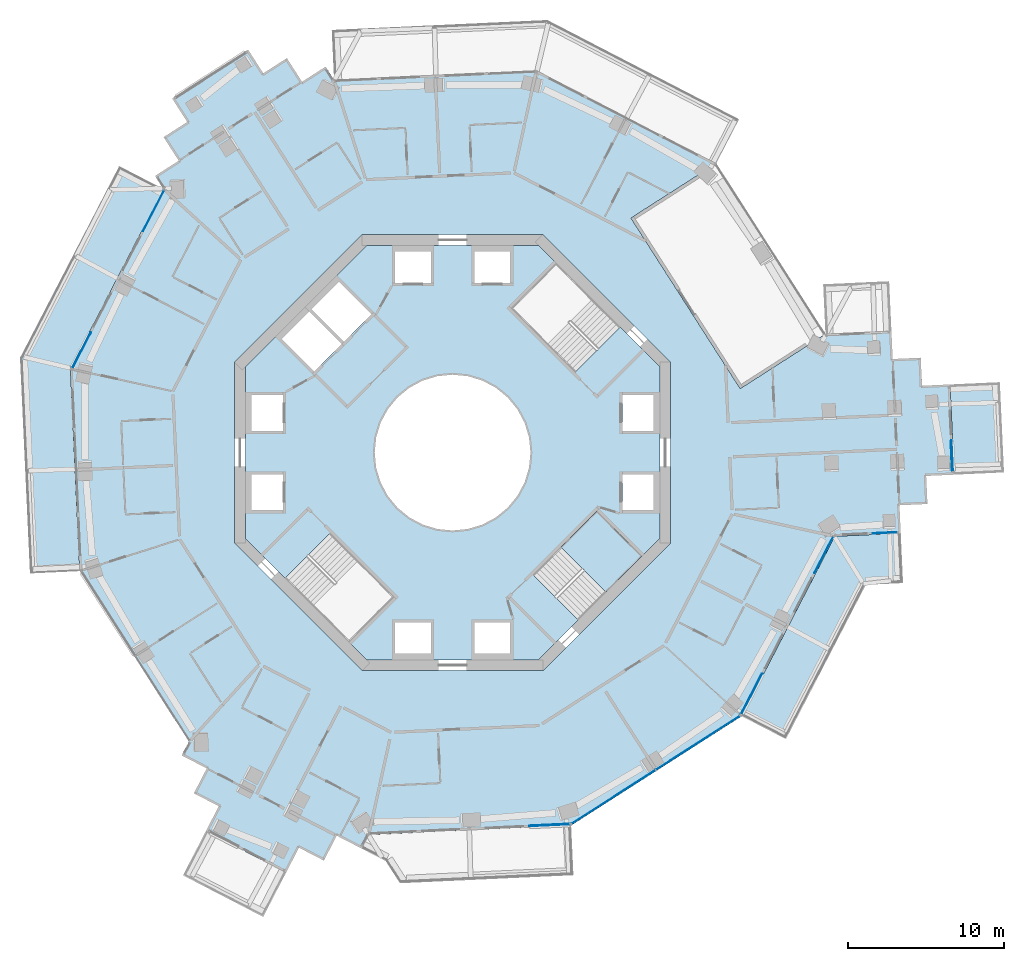
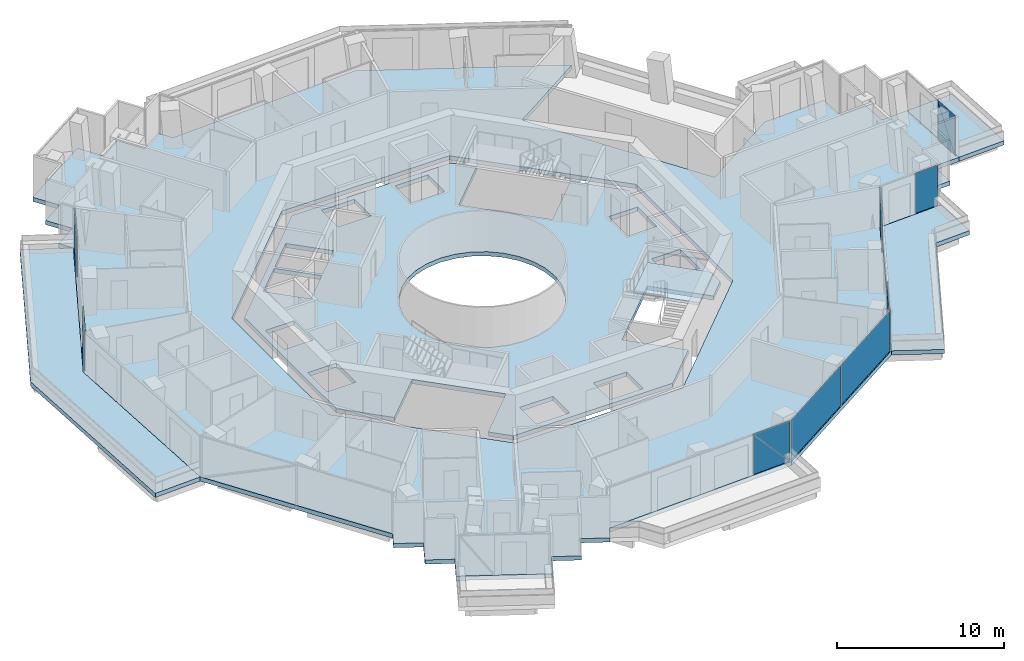
# One storey, part 12 of 22: 13 plates, 6 slabs, 7 elements without a shape of their own.
"""IFC4 building model written with IfcOpenShell, lengths in metres."""

from ifc_helpers import new_model, si_unit, direction, frame, origin, origin_2d, place, context, subcontext, project, spatial, polyline, rectangle, outline, extrude, material, layer, layer_set, type_object, element, aggregate, save


model = new_model("IFC4")

# Units and contexts
model_context = context("Model", 3, precision=1e-05, world=origin(), true_north=direction((0.0, 1.0)))
body_context = subcontext(model_context, "Body", "Model", "MODEL_VIEW")
ifc_project = project(units=[si_unit("LENGTHUNIT", "METRE"), si_unit("AREAUNIT", "SQUARE_METRE"), si_unit("VOLUMEUNIT", "CUBIC_METRE"), si_unit("PLANEANGLEUNIT", "RADIAN"), si_unit("MASSUNIT", "GRAM", prefix="KILO")], contexts=[model_context])

# Site, building, storey
site_placement = place(None, origin())
site = spatial("IfcSite", under=ifc_project, at=site_placement, CompositionType="ELEMENT")
building_placement = place(site_placement, origin())
building = spatial("IfcBuilding", under=site, at=building_placement, Name="Verdalira Terraces Hotel", CompositionType="ELEMENT")
storey_placement = place(building_placement, frame((0.0, 0.0, 165.5)))
storey = spatial("IfcBuildingStorey", under=building, at=storey_placement, Name="L40", CompositionType="ELEMENT", Elevation=165.5)

# Slabs
ifc_material_1 = material(Name="Precast concrete C40/50", Category="concrete")
ifc_layer_1 = layer(ifc_material_1, 0.31005859375)
ifc_layer_set_1 = layer_set([ifc_layer_1], Name="Balcony deck 310")
slab_type_1 = type_object("IfcSlabType", Name="Balcony deck 310", PredefinedType="FLOOR", material=ifc_layer_set_1)
slab_1_placement = place(storey_placement, frame((0.0, 0.0, -0.310059)))
element("IfcSlab", 1, at=slab_1_placement, inside=storey, type_object=slab_type_1, Name="Balcony deck", PredefinedType="FLOOR", context=body_context, shape_type="SweptSolid", body=[
    extrude(outline(polyline([(-27.768066, 6.084961), (-27.129883, -7.757812), (-23.933105, -7.610352), (-24.531982, 5.375732), (-18.557373, 16.921631), (-21.399414, 18.39209), (-27.768066, 6.084961)])), origin(), (0.0, 0.0, 1.0), 0.310059),
])
slab_2_placement = place(storey_placement, frame((0.0, 0.0, -0.310059)))
element("IfcSlab", 2, at=slab_2_placement, inside=storey, type_object=slab_type_1, Name="Balcony deck", PredefinedType="FLOOR", context=body_context, shape_type="SweptSolid", body=[
    extrude(outline(polyline([(28.915283, -8.376953), (28.767822, -5.18042), (24.531982, -5.375732), (18.557373, -16.921631), (21.399414, -18.39209), (26.524902, -8.487305), (28.915283, -8.376953)])), origin(), (0.0, 0.0, 1.0), 0.310059),
])
slab_3_placement = place(storey_placement, frame((0.0, 0.0, -0.310059)))
element("IfcSlab", 3, at=slab_3_placement, inside=storey, type_object=slab_type_1, Name="Balcony deck", PredefinedType="FLOOR", context=body_context, shape_type="SweptSolid", body=[
    extrude(outline(polyline([(35.127686, 4.522705), (31.931152, 4.375488), (32.198242, -1.418457), (35.394775, -1.270996), (35.127686, 4.522705)])), origin(), (0.0, 0.0, 1.0), 0.310059),
])

# Curtain wall, plates
ifc_material_2 = material(Name="Clear glass", Category="glass")
ifc_layer_2 = layer(ifc_material_2, 0.14990234375)
ifc_layer_set_2 = layer_set([ifc_layer_2], Name="CW1 curtain wall")
curtain_wall_type_1 = type_object("IfcCurtainWallType", Name="CW1 curtain wall", PredefinedType="NOTDEFINED", material=ifc_layer_set_2)
curtain_wall_1_placement = place(storey_placement, origin())
curtain_wall_1 = element("IfcCurtainWall", 4, at=curtain_wall_1_placement, inside=storey, type_object=curtain_wall_type_1, Name="CW1 curtain wall L40 edge 11", PredefinedType="NOTDEFINED")
ifc_material_3 = material(Name="Clear glass", Category="glass")
ifc_layer_3 = layer(ifc_material_3, 0.028076171875)
ifc_layer_set_3 = layer_set([ifc_layer_3], Name="CW1 glass unit 28")
plate_type_1 = type_object("IfcPlateType", Name="CW1 glass unit 28", PredefinedType="CURTAIN_PANEL", material=ifc_layer_set_3)
plate_1_placement = place(storey_placement, frame((-19.199707, 15.51709, 0.0), z_axis=(0.0, 0.0, 1.0), x_axis=(-0.459579861, -0.888136449, 0.0)))
plate_1 = element("IfcPlate", 5, at=plate_1_placement, type_object=plate_type_1, Name="CW1 glass unit", PredefinedType="CURTAIN_PANEL", context=body_context, shape_type="SweptSolid", body=[
    extrude(rectangle(XDim=2.965088, YDim=0.028076, at=origin_2d()), origin(), (0.0, 0.0, 1.0), 2.935059),
])
plate_2_placement = place(storey_placement, frame((-23.812744, 6.572266, 1.467529), z_axis=(-0.888136449, 0.459579861, 0.0), x_axis=(-0.459579861, -0.888136449, 0.0)))
plate_2 = element("IfcPlate", 6, at=plate_2_placement, type_object=plate_type_1, Name="CW1 glass unit", PredefinedType="CURTAIN_PANEL", context=body_context, shape_type="SweptSolid", body=[
    extrude(outline(polyline([(-1.292969, -1.467529), (1.292969, -1.467529), (1.292969, 1.467529), (-1.292969, -1.467529)])), origin(), (0.0, 0.0, 1.0), 0.028076),
])
plate_3_placement = place(storey_placement, frame((-23.786865, 6.558838, 1.467529), z_axis=(-0.888136449, 0.459579861, 0.0), x_axis=(-0.459579861, -0.888136449, 0.0)))
plate_3 = element("IfcPlate", 7, at=plate_3_placement, type_object=plate_type_1, Name="CW1 glass unit", PredefinedType="CURTAIN_PANEL", context=body_context, shape_type="SweptSolid", body=[
    extrude(outline(polyline([(-1.292969, -1.467529), (1.292969, 1.467529), (-1.292969, 1.467529), (-1.292969, -1.467529)])), origin(), (0.0, 0.0, 1.0), 0.028076),
])
aggregate(curtain_wall_1, [plate_1, plate_2, plate_3])

curtain_wall_2_placement = place(storey_placement, origin())
curtain_wall_2 = element("IfcCurtainWall", 8, at=curtain_wall_2_placement, inside=storey, type_object=curtain_wall_type_1, Name="CW1 curtain wall L40 edge 25", PredefinedType="NOTDEFINED")
plate_4_placement = place(storey_placement, frame((6.2146, -23.908447, 1.467529), z_axis=(0.04606039, -0.998938657, 0.0), x_axis=(0.998938657, 0.04606039, 0.0)))
plate_4 = element("IfcPlate", 9, at=plate_4_placement, type_object=plate_type_1, Name="CW1 glass unit", PredefinedType="CURTAIN_PANEL", context=body_context, shape_type="SweptSolid", body=[
    extrude(outline(polyline([(-1.292969, -1.467529), (1.292969, -1.467529), (-1.292969, 1.467529), (-1.292969, -1.467529)])), origin(), (0.0, 0.0, 1.0), 0.028076),
])
plate_5_placement = place(storey_placement, frame((6.213379, -23.879395, 1.467529), z_axis=(0.04606039, -0.998938657, 0.0), x_axis=(0.998938657, 0.04606039, 0.0)))
plate_5 = element("IfcPlate", 10, at=plate_5_placement, type_object=plate_type_1, Name="CW1 glass unit", PredefinedType="CURTAIN_PANEL", context=body_context, shape_type="SweptSolid", body=[
    extrude(outline(polyline([(1.292969, -1.467529), (1.292969, 1.467529), (-1.292969, 1.467529), (1.292969, -1.467529)])), origin(), (0.0, 0.0, 1.0), 0.028076),
])
aggregate(curtain_wall_2, [plate_4, plate_5])

curtain_wall_3_placement = place(storey_placement, origin())
curtain_wall_3 = element("IfcCurtainWall", 11, at=curtain_wall_3_placement, inside=storey, type_object=curtain_wall_type_1, Name="CW1 curtain wall L40 edge 26", PredefinedType="NOTDEFINED")
plate_6_placement = place(storey_placement, frame((10.336182, -22.098145, 0.0), z_axis=(0.0, 0.0, 1.0), x_axis=(0.842076059, 0.539358796, 0.0)))
plate_6 = element("IfcPlate", 12, at=plate_6_placement, type_object=plate_type_1, Name="CW1 glass unit", PredefinedType="CURTAIN_PANEL", context=body_context, shape_type="SweptSolid", body=[
    extrude(rectangle(XDim=6.369873, YDim=0.028076, at=origin_2d()), origin(), (0.0, 0.0, 1.0), 2.935059),
])
plate_7_placement = place(storey_placement, frame((15.750732, -18.630127, 0.0), z_axis=(0.0, 0.0, 1.0), x_axis=(0.842076059, 0.539358796, 0.0)))
plate_7 = element("IfcPlate", 13, at=plate_7_placement, type_object=plate_type_1, Name="CW1 glass unit", PredefinedType="CURTAIN_PANEL", context=body_context, shape_type="SweptSolid", body=[
    extrude(rectangle(XDim=6.369873, YDim=0.028076, at=origin_2d()), origin(), (0.0, 0.0, 1.0), 2.935059),
])
aggregate(curtain_wall_3, [plate_6, plate_7])

curtain_wall_4_placement = place(storey_placement, origin())
curtain_wall_4 = element("IfcCurtainWall", 14, at=curtain_wall_4_placement, inside=storey, type_object=curtain_wall_type_1, Name="CW1 curtain wall L40 edge 27", PredefinedType="NOTDEFINED")
plate_8_placement = place(storey_placement, frame((19.196533, -15.49292, 1.467529), z_axis=(0.888136449, -0.459579861, 0.0), x_axis=(0.459579861, 0.888136449, 0.0)))
plate_8 = element("IfcPlate", 15, at=plate_8_placement, type_object=plate_type_1, Name="CW1 glass unit", PredefinedType="CURTAIN_PANEL", context=body_context, shape_type="SweptSolid", body=[
    extrude(outline(polyline([(-1.462402, -1.467529), (1.462402, -1.467529), (-1.462402, 1.467529), (-1.462402, -1.467529)])), origin(), (0.0, 0.0, 1.0), 0.028076),
])
plate_9_placement = place(storey_placement, frame((19.170654, -15.479492, 1.467529), z_axis=(0.888136449, -0.459579861, 0.0), x_axis=(0.459579861, 0.888136449, 0.0)))
plate_9 = element("IfcPlate", 16, at=plate_9_placement, type_object=plate_type_1, Name="CW1 glass unit", PredefinedType="CURTAIN_PANEL", context=body_context, shape_type="SweptSolid", body=[
    extrude(outline(polyline([(1.462402, -1.467529), (1.462402, 1.467529), (-1.462402, 1.467529), (1.462402, -1.467529)])), origin(), (0.0, 0.0, 1.0), 0.028076),
])
plate_10_placement = place(storey_placement, frame((23.834473, -6.560791, 0.0), z_axis=(0.0, 0.0, 1.0), x_axis=(0.459579861, 0.888136449, 0.0)))
plate_10 = element("IfcPlate", 17, at=plate_10_placement, type_object=plate_type_1, Name="CW1 glass unit", PredefinedType="CURTAIN_PANEL", context=body_context, shape_type="SweptSolid", body=[
    extrude(rectangle(XDim=2.625977, YDim=0.028076, at=origin_2d()), origin(), (0.0, 0.0, 1.0), 2.935059),
])
aggregate(curtain_wall_4, [plate_8, plate_9, plate_10])

# Curtain wall, plate
ifc_material_4 = material(Name="Clear glass", Category="glass")
ifc_layer_4 = layer(ifc_material_4, 0.14990234375)
ifc_layer_set_4 = layer_set([ifc_layer_4], Name="CW2 curtain wall")
curtain_wall_type_2 = type_object("IfcCurtainWallType", Name="CW2 curtain wall", PredefinedType="NOTDEFINED", material=ifc_layer_set_4)
curtain_wall_5_placement = place(storey_placement, origin())
curtain_wall_5 = element("IfcCurtainWall", 18, at=curtain_wall_5_placement, inside=storey, type_object=curtain_wall_type_2, Name="CW2 curtain wall L40 edge 28", PredefinedType="NOTDEFINED")
ifc_material_5 = material(Name="Clear glass", Category="glass")
ifc_layer_5 = layer(ifc_material_5, 0.031982421875)
ifc_layer_set_5 = layer_set([ifc_layer_5], Name="CW2 glass unit 32")
plate_type_2 = type_object("IfcPlateType", Name="CW2 glass unit 32", PredefinedType="CURTAIN_PANEL", material=ifc_layer_set_5)
plate_11_placement = place(storey_placement, frame((27.764404, -5.151611, 0.0), z_axis=(0.0, 0.0, 1.0), x_axis=(0.998938657, 0.04606039, 0.0)))
plate_11 = element("IfcPlate", 19, at=plate_11_placement, type_object=plate_type_2, Name="CW2 glass unit", PredefinedType="CURTAIN_PANEL", context=body_context, shape_type="SweptSolid", body=[
    extrude(rectangle(XDim=1.562012, YDim=0.031982, at=origin_2d()), origin(), (0.0, 0.0, 1.0), 2.935059),
])
aggregate(curtain_wall_5, [plate_11])

# Curtain wall, plates
ifc_material_6 = material(Name="Clear glass", Category="glass")
ifc_layer_6 = layer(ifc_material_6, 0.14990234375)
ifc_layer_set_6 = layer_set([ifc_layer_6], Name="CW3 curtain wall")
curtain_wall_type_3 = type_object("IfcCurtainWallType", Name="CW3 curtain wall", PredefinedType="NOTDEFINED", material=ifc_layer_set_6)
curtain_wall_6_placement = place(storey_placement, origin())
curtain_wall_6 = element("IfcCurtainWall", 20, at=curtain_wall_6_placement, inside=storey, type_object=curtain_wall_type_3, Name="CW3 curtain wall L40 edge 33", PredefinedType="NOTDEFINED")
ifc_material_7 = material(Name="Clear glass", Category="glass")
ifc_layer_7 = layer(ifc_material_7, 0.035888671875)
ifc_layer_set_7 = layer_set([ifc_layer_7], Name="CW3 glass unit 36")
plate_type_3 = type_object("IfcPlateType", Name="CW3 glass unit 36", PredefinedType="CURTAIN_PANEL", material=ifc_layer_set_7)
plate_12_placement = place(storey_placement, frame((32.049316, -0.203857, 1.467529), z_axis=(0.998938657, 0.04606039, 0.0), x_axis=(-0.04606039, 0.998938657, 0.0)))
plate_12 = element("IfcPlate", 21, at=plate_12_placement, type_object=plate_type_3, Name="CW3 glass unit", PredefinedType="CURTAIN_PANEL", context=body_context, shape_type="SweptSolid", body=[
    extrude(outline(polyline([(-0.98999, -1.467529), (0.98999, -1.467529), (0.98999, 1.467529), (-0.98999, -1.467529)])), origin(), (0.0, 0.0, 1.0), 0.035889),
])
plate_13_placement = place(storey_placement, frame((32.012207, -0.205566, 1.467529), z_axis=(0.998938657, 0.04606039, 0.0), x_axis=(-0.04606039, 0.998938657, 0.0)))
plate_13 = element("IfcPlate", 22, at=plate_13_placement, type_object=plate_type_3, Name="CW3 glass unit", PredefinedType="CURTAIN_PANEL", context=body_context, shape_type="SweptSolid", body=[
    extrude(outline(polyline([(-0.98999, -1.467529), (0.98999, 1.467529), (-0.98999, 1.467529), (-0.98999, -1.467529)])), origin(), (0.0, 0.0, 1.0), 0.035889),
])
aggregate(curtain_wall_6, [plate_12, plate_13])

# Slab
ifc_material_8 = material(Name="Concrete C40", Category="concrete")
ifc_layer_8 = layer(ifc_material_8, 0.31005859375)
ifc_layer_set_8 = layer_set([ifc_layer_8], Name="Core floor slab 310 mm")
slab_type_2 = type_object("IfcSlabType", Name="Core floor slab 310 mm", PredefinedType="FLOOR", material=ifc_layer_set_8)
slab_4_placement = place(storey_placement, frame((0.0, 0.0, -0.310059)))
element("IfcSlab", 23, at=slab_4_placement, inside=storey, type_object=slab_type_2, Name="L40 core floor", PredefinedType="FLOOR", context=body_context, shape_type="SweptSolid", body=[
    extrude(outline(polyline([(-5.509033, 13.300049), (5.509033, 13.300049), (6.632812, 12.176514), (3.719482, 9.263184), (7.834473, 5.148193), (10.747803, 8.061279), (13.300049, 5.509033), (13.300049, -5.509033), (12.176514, -6.632812), (9.263184, -3.719482), (5.148193, -7.834473), (8.061279, -10.747803), (5.509033, -13.300049), (-5.509033, -13.300049), (-6.632812, -12.176514), (-3.719482, -9.263184), (-7.834473, -5.148193), (-10.747803, -8.061279), (-13.300049, -5.509033), (-13.300049, 5.509033), (-5.509033, 13.300049)]), holes=[polyline([(12.899902, -3.699951), (12.899902, -1.399902), (10.899902, -1.399902), (10.899902, -3.699951), (12.899902, -3.699951)]), polyline([(12.899902, 1.399902), (12.899902, 3.699951), (10.899902, 3.699951), (10.899902, 1.399902), (12.899902, 1.399902)]), polyline([(1.399902, 10.899902), (3.699951, 10.899902), (3.699951, 12.899902), (1.399902, 12.899902), (1.399902, 10.899902)]), polyline([(-3.699951, 10.899902), (-1.399902, 10.899902), (-1.399902, 12.899902), (-3.699951, 12.899902), (-3.699951, 10.899902)]), polyline([(-12.899902, 3.699951), (-12.899902, 1.399902), (-10.899902, 1.399902), (-10.899902, 3.699951), (-12.899902, 3.699951)]), polyline([(-12.899902, -1.399902), (-12.899902, -3.699951), (-10.899902, -3.699951), (-10.899902, -1.399902), (-12.899902, -1.399902)]), polyline([(-1.399902, -10.899902), (-3.699951, -10.899902), (-3.699951, -12.899902), (-1.399902, -12.899902), (-1.399902, -10.899902)]), polyline([(3.699951, -10.899902), (1.399902, -10.899902), (1.399902, -12.899902), (3.699951, -12.899902), (3.699951, -10.899902)]), polyline([(-9.051025, 9.192383), (-6.965088, 7.106445), (-5.197266, 8.874268), (-7.283203, 10.960205), (-9.051025, 9.192383)]), polyline([(-9.192383, 9.051025), (-10.960205, 7.283203), (-8.874268, 5.197266), (-7.106445, 6.965088), (-9.192383, 9.051025)]), polyline([(3.5354, 3.5354), (2.777832, 4.157227), (1.91333, 4.619385), (0.975586, 4.903809), (0.0, 5.0), (-0.975586, 4.903809), (-1.91333, 4.619385), (-2.777832, 4.157227), (-3.5354, 3.5354), (-4.157227, 2.777832), (-4.619385, 1.91333), (-4.903809, 0.975586), (-5.0, 0.0), (-4.903809, -0.975586), (-4.619385, -1.91333), (-4.157227, -2.777832), (-3.5354, -3.5354), (-2.777832, -4.157227), (-1.91333, -4.619385), (-0.975586, -4.903809), (0.0, -5.0), (0.975586, -4.903809), (1.91333, -4.619385), (2.777832, -4.157227), (3.5354, -3.5354), (4.157227, -2.777832), (4.619385, -1.91333), (4.903809, -0.975586), (5.0, 0.0), (4.903809, 0.975586), (4.619385, 1.91333), (4.157227, 2.777832), (3.5354, 3.5354)])]), origin(), (0.0, 0.0, 1.0), 0.310059),
])

# Stair, slab
ifc_material_9 = material(Name="Concrete C40", Category="concrete")
stair_type = type_object("IfcStairType", Name="Core stair 20 risers 2000 mm wide", PredefinedType="HALF_TURN_STAIR", material=ifc_material_9)
stair_placement = place(storey_placement, origin())
stair = element("IfcStair", 24, at=stair_placement, inside=storey, type_object=stair_type, Name="L40 Exit stair ST3", PredefinedType="HALF_TURN_STAIR")
ifc_material_10 = material(Name="Concrete C40", Category="concrete")
ifc_layer_9 = layer(ifc_material_10, 0.199951171875)
ifc_layer_set_9 = layer_set([ifc_layer_9], Name="Core stair landing 200 mm")
slab_type_3 = type_object("IfcSlabType", Name="Core stair landing 200 mm", PredefinedType="LANDING", material=ifc_layer_set_9)
slab_5_placement = place(storey_placement, frame((0.0, 0.0, 1.550049)))
slab_5 = element("IfcSlab", 25, at=slab_5_placement, type_object=slab_type_3, Name="ST3 landing 1", PredefinedType="LANDING", context=body_context, shape_type="SweptSolid", body=[
    extrude(outline(polyline([(9.842529, -8.966553), (12.162354, -6.646729), (9.263184, -3.747559), (6.943359, -6.067383), (9.842529, -8.966553)])), origin(), (0.0, 0.0, 1.0), 0.199951),
])
aggregate(stair, [slab_5])

# Slab
ifc_material_11 = material(Name="Concrete C40", Category="concrete")
ifc_layer_10 = layer(ifc_material_11, 0.31005859375)
ifc_layer_set_10 = layer_set([ifc_layer_10], Name="Floor slab 310 C40")
slab_type_4 = type_object("IfcSlabType", Name="Floor slab 310 C40", PredefinedType="FLOOR", material=ifc_layer_set_10)
slab_6_placement = place(storey_placement, frame((0.0, 0.0, -0.310059)))
element("IfcSlab", 26, at=slab_6_placement, inside=storey, type_object=slab_type_4, Name="Floor slab L40", PredefinedType="FLOOR", context=body_context, shape_type="SweptSolid", body=[
    extrude(outline(polyline([(28.251953, 6.007812), (28.169189, 7.805908), (23.933838, 7.610596), (23.933838, 7.610352), (18.459473, 4.104004), (11.447266, 15.051758), (16.920898, 18.557617), (5.375732, 24.531982), (-7.610352, 23.933105), (-8.149902, 24.775391), (-9.665527, 23.804443), (-10.636475, 25.320312), (-12.1521, 24.349365), (-13.123047, 25.86499), (-18.00708, 22.736816), (-17.036133, 21.220947), (-18.552002, 20.250244), (-17.581055, 18.734375), (-19.09668, 17.763672), (-18.557373, 16.921387), (-24.531982, 5.375732), (-23.933105, -7.610352), (-16.921387, -18.557373), (-17.381104, -19.445557), (-15.782471, -20.272705), (-16.609619, -21.871582), (-15.010986, -22.69873), (-15.838379, -24.297363), (-10.687012, -26.962891), (-9.859863, -25.364258), (-8.26123, -26.191406), (-7.434082, -24.593018), (-5.835205, -25.420166), (-5.375732, -24.531982), (7.610352, -23.933105), (18.557373, -16.921387), (24.531982, -5.375732), (28.767822, -5.18042), (28.685059, -3.382324), (30.483154, -3.299316), (30.400146, -1.501221), (32.198242, -1.418457), (31.931152, 4.375488), (30.133057, 4.29248), (30.050049, 6.090576), (28.251953, 6.007812)]), holes=[polyline([(5.799072, 14.0), (14.0, 5.799072), (14.0, -5.799072), (5.799072, -14.0), (-5.799072, -14.0), (-14.0, -5.799072), (-14.0, 5.799072), (-5.799072, 14.0), (5.799072, 14.0)])]), origin(), (0.0, 0.0, 1.0), 0.310059),
])

save(model, "model.ifc")
